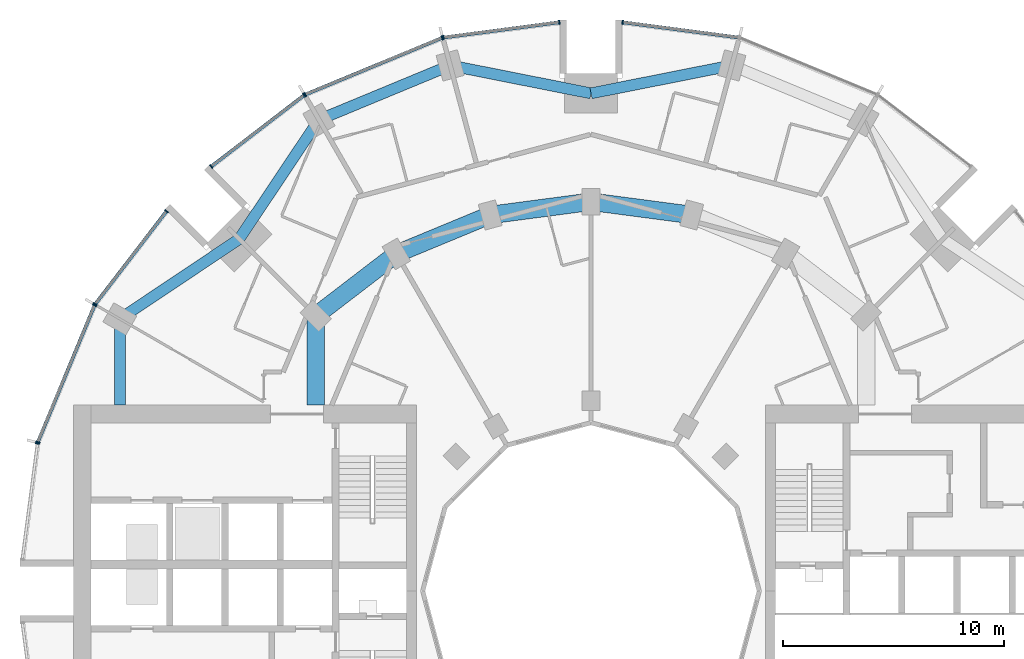
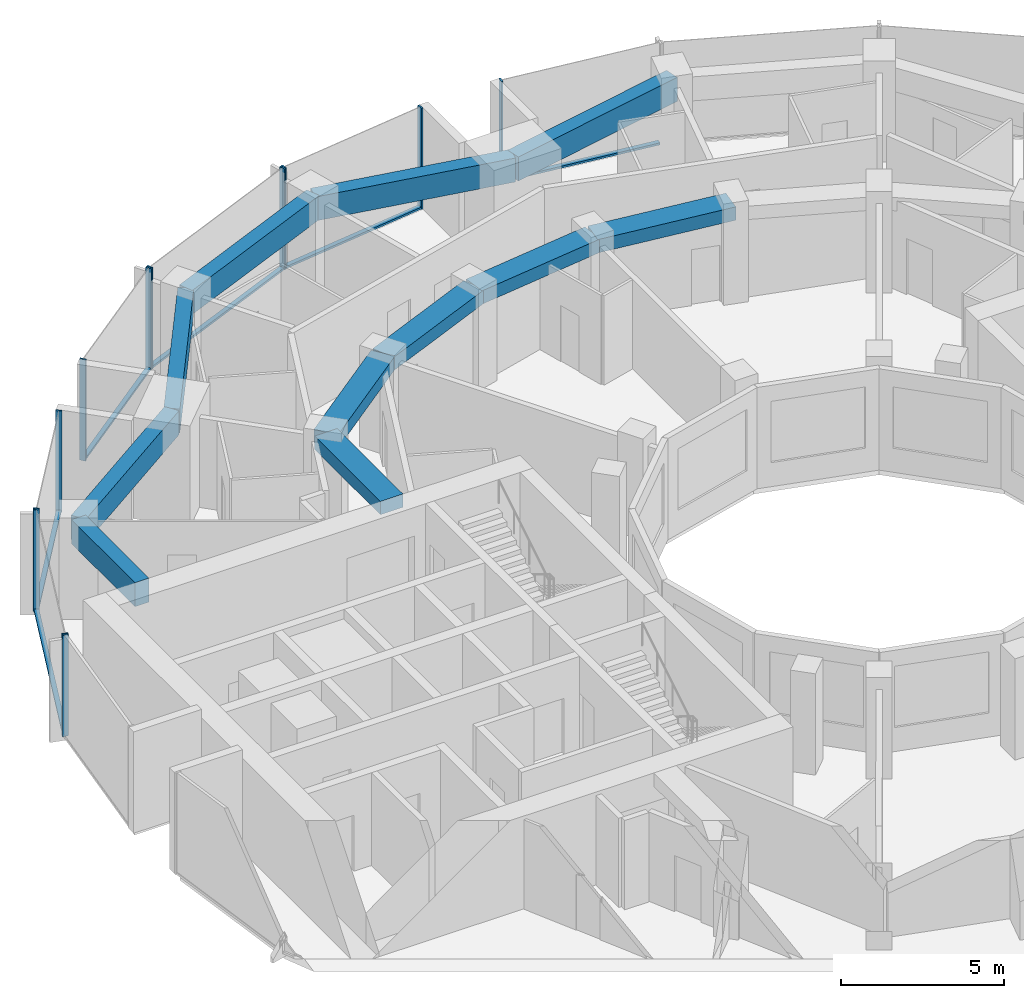
# One storey, part 5 of 15: 18 members, 11 beams, 7 elements without a shape of their own.
"""IFC4 building model written with IfcOpenShell, lengths in metres."""

from ifc_helpers import new_model, si_unit, direction, frame, origin, origin_2d, place, context, subcontext, project, spatial, rectangle, extrude, material, layer, layer_set, material_profile, profile_set, type_object, element, aggregate, save


model = new_model("IFC4")

# Units and contexts
model_context = context("Model", 3, precision=1e-05, world=origin(), true_north=direction((0.0, 1.0)))
body_context = subcontext(model_context, "Body", "Model", "MODEL_VIEW")
ifc_project = project(units=[si_unit("LENGTHUNIT", "METRE"), si_unit("AREAUNIT", "SQUARE_METRE"), si_unit("VOLUMEUNIT", "CUBIC_METRE"), si_unit("PLANEANGLEUNIT", "RADIAN"), si_unit("MASSUNIT", "GRAM", prefix="KILO")], contexts=[model_context])

# Site, building, storey
site_placement = place(None, origin())
site = spatial("IfcSite", under=ifc_project, at=site_placement, CompositionType="ELEMENT")
building_placement = place(site_placement, origin())
building = spatial("IfcBuilding", under=site, at=building_placement, Name="Torre Brocal", CompositionType="ELEMENT")
storey_placement = place(building_placement, frame((0.0, 0.0, 82.39990234375)))
storey = spatial("IfcBuildingStorey", under=building, at=storey_placement, Name="L18", CompositionType="ELEMENT", Elevation=82.39990234375)

# Curtain wall, member
ifc_material_1 = material(Name="Aluminium and glass", Category="aluminium")
ifc_layer_1 = layer(ifc_material_1, 0.199951171875)
ifc_layer_set_1 = layer_set([ifc_layer_1], Name="Aluminium and glass")
curtain_wall_type_1 = type_object("IfcCurtainWallType", Name="CW-1 CURTAIN WALL 3800 HIGH", PredefinedType="NOTDEFINED", material=ifc_layer_set_1)
curtain_wall_1_placement = place(storey_placement, origin())
curtain_wall_1 = element("IfcCurtainWall", 1, at=curtain_wall_1_placement, inside=storey, type_object=curtain_wall_type_1, Name="CW-1 RUN 6", PredefinedType="NOTDEFINED")
ifc_material_2 = material(Name="Aluminium, dark anodised", Category="aluminium")
ifc_material_profile_1 = material_profile(ifc_material_2, rectangle(XDim=0.199951171875, YDim=0.06005859375, at=origin_2d()), Name="CW-1 MULLION 60X200")
ifc_profile_set_1 = profile_set([ifc_material_profile_1], Name="Aluminium, dark anodised")
member_type_1 = type_object("IfcMemberType", Name="CW-1 MULLION 60X200", PredefinedType="MULLION", material=ifc_profile_set_1)
member_1_placement = place(storey_placement, frame((81.4296875, 100.7109375, 0.0), z_axis=(0.0, 0.0, 1.0), x_axis=(-0.13052619222, -0.991444861374, 0.0)))
member_1 = element("IfcMember", 2, at=member_1_placement, type_object=member_type_1, Name="CW1-1 mullion 2", PredefinedType="MULLION", context=body_context, shape_type="SweptSolid", body=[
    extrude(rectangle(XDim=0.199951171875, YDim=0.06005859375, at=origin_2d()), origin(), (0.0, 0.0, 1.0), 3.800048828125),
])

# Curtain wall, members
curtain_wall_2_placement = place(storey_placement, origin())
curtain_wall_2 = element("IfcCurtainWall", 3, at=curtain_wall_2_placement, inside=storey, type_object=curtain_wall_type_1, Name="CW-1 RUN 7", PredefinedType="NOTDEFINED")
member_2_placement = place(storey_placement, frame((78.5703125, 100.7109375, 0.0), z_axis=(0.0, 0.0, 1.0), x_axis=(0.13052619222, -0.991444861374, 0.0)))
member_2 = element("IfcMember", 4, at=member_2_placement, type_object=member_type_1, Name="CW1-1 mullion 1", PredefinedType="MULLION", context=body_context, shape_type="SweptSolid", body=[
    extrude(rectangle(XDim=0.199951171875, YDim=0.06005859375, at=origin_2d()), origin(), (0.0, 0.0, 1.0), 3.800048828125),
])
member_3_placement = place(storey_placement, frame((73.32666015625, 100.0205078125, 0.0), z_axis=(0.0, 0.0, 1.0), x_axis=(0.13052619222, -0.991444861374, 0.0)))
member_3 = element("IfcMember", 5, at=member_3_placement, type_object=member_type_1, Name="CW1-1 mullion 2", PredefinedType="MULLION", context=body_context, shape_type="SweptSolid", body=[
    extrude(rectangle(XDim=0.199951171875, YDim=0.06005859375, at=origin_2d()), origin(), (0.0, 0.0, 1.0), 3.800048828125),
])

curtain_wall_3_placement = place(storey_placement, origin())
curtain_wall_3 = element("IfcCurtainWall", 6, at=curtain_wall_3_placement, inside=storey, type_object=curtain_wall_type_1, Name="CW-1 RUN 8", PredefinedType="NOTDEFINED")
member_4_placement = place(storey_placement, frame((73.26904296875, 100.005126953125, 0.0), z_axis=(0.0, 0.0, 1.0), x_axis=(0.382683432333, -0.923879532525, 0.0)))
member_4 = element("IfcMember", 7, at=member_4_placement, type_object=member_type_1, Name="CW1-1 mullion 1", PredefinedType="MULLION", context=body_context, shape_type="SweptSolid", body=[
    extrude(rectangle(XDim=0.199951171875, YDim=0.06005859375, at=origin_2d()), origin(), (0.0, 0.0, 1.0), 3.800048828125),
])
member_5_placement = place(storey_placement, frame((67.078125, 97.440673828125, 0.0), z_axis=(0.0, 0.0, 1.0), x_axis=(0.382683432333, -0.923879532525, 0.0)))
member_5 = element("IfcMember", 8, at=member_5_placement, type_object=member_type_1, Name="CW1-1 mullion 2", PredefinedType="MULLION", context=body_context, shape_type="SweptSolid", body=[
    extrude(rectangle(XDim=0.199951171875, YDim=0.06005859375, at=origin_2d()), origin(), (0.0, 0.0, 1.0), 3.800048828125),
])

curtain_wall_4_placement = place(storey_placement, origin())
curtain_wall_4 = element("IfcCurtainWall", 9, at=curtain_wall_4_placement, inside=storey, type_object=curtain_wall_type_1, Name="CW-1 RUN 9", PredefinedType="NOTDEFINED")
member_6_placement = place(storey_placement, frame((67.026611328125, 97.4111328125, 0.0), z_axis=(0.0, 0.0, 1.0), x_axis=(0.60876142905, -0.793353340259, 0.0)))
member_6 = element("IfcMember", 10, at=member_6_placement, type_object=member_type_1, Name="CW1-1 mullion 1", PredefinedType="MULLION", context=body_context, shape_type="SweptSolid", body=[
    extrude(rectangle(XDim=0.199951171875, YDim=0.06005859375, at=origin_2d()), origin(), (0.0, 0.0, 1.0), 3.800048828125),
])
member_7_placement = place(storey_placement, frame((62.83056640625, 94.19140625, 0.0), z_axis=(0.0, 0.0, 1.0), x_axis=(0.60876142905, -0.793353340259, 0.0)))
member_7 = element("IfcMember", 11, at=member_7_placement, type_object=member_type_1, Name="CW1-1 mullion 2", PredefinedType="MULLION", context=body_context, shape_type="SweptSolid", body=[
    extrude(rectangle(XDim=0.199951171875, YDim=0.06005859375, at=origin_2d()), origin(), (0.0, 0.0, 1.0), 3.800048828125),
])

curtain_wall_5_placement = place(storey_placement, origin())
curtain_wall_5 = element("IfcCurtainWall", 12, at=curtain_wall_5_placement, inside=storey, type_object=curtain_wall_type_1, Name="CW-1 RUN 10", PredefinedType="NOTDEFINED")
member_8_placement = place(storey_placement, frame((60.80859375, 92.16943359375, 0.0), z_axis=(0.0, 0.0, 1.0), x_axis=(0.793353340259, -0.60876142905, 0.0)))
member_8 = element("IfcMember", 13, at=member_8_placement, type_object=member_type_1, Name="CW1-1 mullion 1", PredefinedType="MULLION", context=body_context, shape_type="SweptSolid", body=[
    extrude(rectangle(XDim=0.199951171875, YDim=0.06005859375, at=origin_2d()), origin(), (0.0, 0.0, 1.0), 3.800048828125),
])
member_9_placement = place(storey_placement, frame((57.5888671875, 87.973388671875, 0.0), z_axis=(0.0, 0.0, 1.0), x_axis=(0.793353340259, -0.60876142905, 0.0)))
member_9 = element("IfcMember", 14, at=member_9_placement, type_object=member_type_1, Name="CW1-1 mullion 2", PredefinedType="MULLION", context=body_context, shape_type="SweptSolid", body=[
    extrude(rectangle(XDim=0.199951171875, YDim=0.06005859375, at=origin_2d()), origin(), (0.0, 0.0, 1.0), 3.800048828125),
])

curtain_wall_6_placement = place(storey_placement, origin())
curtain_wall_6 = element("IfcCurtainWall", 15, at=curtain_wall_6_placement, inside=storey, type_object=curtain_wall_type_1, Name="CW-1 RUN 11", PredefinedType="NOTDEFINED")
member_10_placement = place(storey_placement, frame((57.559326171875, 87.921875, 0.0), z_axis=(0.0, 0.0, 1.0), x_axis=(0.923879532525, -0.382683432333, 0.0)))
member_10 = element("IfcMember", 16, at=member_10_placement, type_object=member_type_1, Name="CW1-1 mullion 1", PredefinedType="MULLION", context=body_context, shape_type="SweptSolid", body=[
    extrude(rectangle(XDim=0.199951171875, YDim=0.06005859375, at=origin_2d()), origin(), (0.0, 0.0, 1.0), 3.800048828125),
])
member_11_placement = place(storey_placement, frame((54.994873046875, 81.73095703125, 0.0), z_axis=(0.0, 0.0, 1.0), x_axis=(0.923879532525, -0.382683432333, 0.0)))
member_11 = element("IfcMember", 17, at=member_11_placement, type_object=member_type_1, Name="CW1-1 mullion 2", PredefinedType="MULLION", context=body_context, shape_type="SweptSolid", body=[
    extrude(rectangle(XDim=0.199951171875, YDim=0.06005859375, at=origin_2d()), origin(), (0.0, 0.0, 1.0), 3.800048828125),
])

# Member
ifc_material_3 = material(Name="Aluminium, dark anodised", Category="aluminium")
ifc_material_profile_2 = material_profile(ifc_material_3, rectangle(XDim=0.159912109375, YDim=0.080078125, at=origin_2d()), Name="CW-1 TRANSOM 160X80")
ifc_profile_set_2 = profile_set([ifc_material_profile_2], Name="Aluminium, dark anodised")
member_type_2 = type_object("IfcMemberType", Name="CW-1 TRANSOM 160X80", PredefinedType="USERDEFINED", material=ifc_profile_set_2)
member_12_placement = place(storey_placement, frame((86.643798828125, 100.0244140625, 0.0400390625), z_axis=(-0.991442690863, 0.130542677827, 0.0), x_axis=(-0.130542677827, -0.991442690863, 0.0)))
member_12 = element("IfcMember", 18, at=member_12_placement, type_object=member_type_2, Name="CW1-1 transom 1.1", ObjectType="TRANSOM", PredefinedType="USERDEFINED", context=body_context, shape_type="SweptSolid", body=[
    extrude(rectangle(XDim=0.159912109375, YDim=0.080078125, at=origin_2d()), origin(), (0.0, 0.0, 1.0), 5.22900390625),
])

aggregate(curtain_wall_1, [member_1, member_12])

member_13_placement = place(storey_placement, frame((78.54052734375, 100.70703125, 0.0400390625), z_axis=(-0.991442690863, -0.130542677827, 0.0), x_axis=(0.130542677827, -0.991442690863, 0.0)))
member_13 = element("IfcMember", 19, at=member_13_placement, type_object=member_type_2, Name="CW1-1 transom 1.1", ObjectType="TRANSOM", PredefinedType="USERDEFINED", context=body_context, shape_type="SweptSolid", body=[
    extrude(rectangle(XDim=0.159912109375, YDim=0.080078125, at=origin_2d()), origin(), (0.0, 0.0, 1.0), 5.22900390625),
])

aggregate(curtain_wall_2, [member_2, member_3, member_13])

member_14_placement = place(storey_placement, frame((73.241455078125, 99.99365234375, 0.0400390625), z_axis=(-0.923887344364, -0.38266457234, 0.0), x_axis=(0.38266457234, -0.923887344364, 0.0)))
member_14 = element("IfcMember", 20, at=member_14_placement, type_object=member_type_2, Name="CW1-1 transom 1.1", ObjectType="TRANSOM", PredefinedType="USERDEFINED", context=body_context, shape_type="SweptSolid", body=[
    extrude(rectangle(XDim=0.159912109375, YDim=0.080078125, at=origin_2d()), origin(), (0.0, 0.0, 1.0), 6.640869140625),
])

aggregate(curtain_wall_3, [member_4, member_5, member_14])

member_15_placement = place(storey_placement, frame((67.0029296875, 97.392822265625, 0.0400390625), z_axis=(-0.79336281513, -0.60874908096, 0.0), x_axis=(0.60874908096, -0.79336281513, 0.0)))
member_15 = element("IfcMember", 21, at=member_15_placement, type_object=member_type_2, Name="CW1-1 transom 1.1", ObjectType="TRANSOM", PredefinedType="USERDEFINED", context=body_context, shape_type="SweptSolid", body=[
    extrude(rectangle(XDim=0.159912109375, YDim=0.080078125, at=origin_2d()), origin(), (0.0, 0.0, 1.0), 5.22900390625),
])

aggregate(curtain_wall_4, [member_6, member_7, member_15])

member_16_placement = place(storey_placement, frame((60.790283203125, 92.1455078125, 0.0400390625), z_axis=(-0.60874908096, -0.79336281513, 0.0), x_axis=(0.79336281513, -0.60874908096, 0.0)))
member_16 = element("IfcMember", 22, at=member_16_placement, type_object=member_type_2, Name="CW1-1 transom 1.1", ObjectType="TRANSOM", PredefinedType="USERDEFINED", context=body_context, shape_type="SweptSolid", body=[
    extrude(rectangle(XDim=0.159912109375, YDim=0.080078125, at=origin_2d()), origin(), (0.0, 0.0, 1.0), 5.22900390625),
])

aggregate(curtain_wall_5, [member_8, member_9, member_16])

member_17_placement = place(storey_placement, frame((57.547607421875, 87.89404296875, 0.0400390625), z_axis=(-0.38266457234, -0.923887344364, 0.0), x_axis=(0.923887344364, -0.38266457234, 0.0)))
member_17 = element("IfcMember", 23, at=member_17_placement, type_object=member_type_2, Name="CW1-1 transom 1.1", ObjectType="TRANSOM", PredefinedType="USERDEFINED", context=body_context, shape_type="SweptSolid", body=[
    extrude(rectangle(XDim=0.159912109375, YDim=0.080078125, at=origin_2d()), origin(), (0.0, 0.0, 1.0), 6.640869140625),
])

aggregate(curtain_wall_6, [member_10, member_11, member_17])

# Curtain wall, member
ifc_material_4 = material(Name="Aluminium and glass", Category="aluminium")
ifc_layer_2 = layer(ifc_material_4, 0.199951171875)
ifc_layer_set_2 = layer_set([ifc_layer_2], Name="Aluminium and glass")
curtain_wall_type_2 = type_object("IfcCurtainWallType", Name="CW-1B CURTAIN WALL 3800 HIGH", PredefinedType="NOTDEFINED", material=ifc_layer_set_2)
curtain_wall_7_placement = place(storey_placement, origin())
curtain_wall_7 = element("IfcCurtainWall", 24, at=curtain_wall_7_placement, inside=storey, type_object=curtain_wall_type_2, Name="CW-1B RUN 12", PredefinedType="NOTDEFINED")
ifc_material_5 = material(Name="Aluminium, dark anodised", Category="aluminium")
ifc_material_profile_3 = material_profile(ifc_material_5, rectangle(XDim=0.199951171875, YDim=0.06005859375, at=origin_2d()), Name="CW-1B MULLION 60X200")
ifc_profile_set_3 = profile_set([ifc_material_profile_3], Name="Aluminium, dark anodised")
member_type_3 = type_object("IfcMemberType", Name="CW-1B MULLION 60X200", PredefinedType="MULLION", material=ifc_profile_set_3)
member_18_placement = place(storey_placement, frame((54.9794921875, 81.67333984375, 0.0), z_axis=(0.0, 0.0, 1.0), x_axis=(0.991444861374, -0.13052619222, 0.0)))
member_18 = element("IfcMember", 25, at=member_18_placement, type_object=member_type_3, Name="CW1B-1 mullion 1", PredefinedType="MULLION", context=body_context, shape_type="SweptSolid", body=[
    extrude(rectangle(XDim=0.199951171875, YDim=0.06005859375, at=origin_2d()), origin(), (0.0, 0.0, 1.0), 3.800048828125),
])
aggregate(curtain_wall_7, [member_18])

# Beams
ifc_material_6 = material(Name="Concrete C50", Category="concrete")
ifc_material_profile_4 = material_profile(ifc_material_6, rectangle(XDim=0.800048828125, YDim=0.5, at=origin_2d()), Name="RC 800X500")
ifc_profile_set_4 = profile_set([ifc_material_profile_4], Name="Concrete C50")
beam_type_1 = type_object("IfcBeamType", Name="RC BEAM 800X500 C50 TOP 3480", PredefinedType="BEAM", material=ifc_profile_set_4)
for number, where, z_axis, x_axis, name in (
    (26, (84.55517578125, 92.000244140625, 3.22998046875), (-0.991440544449, 0.130558978332, 0.0), (-0.130558978332, -0.991440544449, 0.0), "Beam BT-19"),
    (27, (80.0, 92.60009765625, 3.22998046875), (-0.991440544449, -0.130558978332, 0.0), (0.130558978332, -0.991440544449, 0.0), "Beam BT-19"),
):
    element("IfcBeam", number, at=place(storey_placement, frame(where, z_axis=z_axis, x_axis=x_axis)), inside=storey, type_object=beam_type_1, Name=name, PredefinedType="BEAM", context=body_context, shape_type="SweptSolid", body=[
        extrude(rectangle(XDim=0.800048828125, YDim=0.5, at=origin_2d()), origin(), (0.0, 0.0, 1.0), 4.594482421875),
    ])
beam_1_placement = place(storey_placement, frame((75.44482421875, 92.000244140625, 3.22998046875), z_axis=(-0.923878240166, -0.382686552348, 0.0), x_axis=(0.382686552348, -0.923878240166, 0.0)))
element("IfcBeam", 28, at=beam_1_placement, inside=storey, type_object=beam_type_1, Name="Beam BT-19", PredefinedType="BEAM", context=body_context, shape_type="SweptSolid", body=[
    extrude(rectangle(XDim=0.800048828125, YDim=0.5, at=origin_2d()), origin(), (0.0, 0.0, 1.0), 4.5947265625),
])
beam_2_placement = place(storey_placement, frame((71.199951171875, 90.241943359375, 3.22998046875), z_axis=(-0.793358265959, -0.6087550097, 0.0), x_axis=(0.6087550097, -0.793358265959, 0.0)))
element("IfcBeam", 29, at=beam_2_placement, inside=storey, type_object=beam_type_1, Name="Beam BT-19", PredefinedType="BEAM", context=body_context, shape_type="SweptSolid", body=[
    extrude(rectangle(XDim=0.800048828125, YDim=0.5, at=origin_2d()), origin(), (0.0, 0.0, 1.0), 4.594482421875),
])
beam_3_placement = place(storey_placement, frame((67.554931640625, 87.445068359375, 3.22998046875), z_axis=(0.0, -1.0, 0.0), x_axis=(1.0, 0.0, 0.0)))
element("IfcBeam", 30, at=beam_3_placement, inside=storey, type_object=beam_type_1, Name="Beam BT-19", PredefinedType="BEAM", context=body_context, shape_type="SweptSolid", body=[
    extrude(rectangle(XDim=0.800048828125, YDim=0.5, at=origin_2d()), origin(), (0.0, 0.0, 1.0), 4.045166015625),
])
ifc_material_7 = material(Name="Concrete C50", Category="concrete")
ifc_material_profile_5 = material_profile(ifc_material_7, rectangle(XDim=0.5, YDim=0.89990234375, at=origin_2d()), Name="RC 500X900")
ifc_profile_set_5 = profile_set([ifc_material_profile_5], Name="Concrete C50")
beam_type_2 = type_object("IfcBeamType", Name="RC SPANDREL BEAM 500X900 C50 TOP 3480", PredefinedType="SPANDREL", material=ifc_profile_set_5)
for number, where, z_axis, x_axis, name in (
    (31, (86.366943359375, 98.76171875, 3.030029296875), (-0.980924907484, -0.194387051723, 0.0), (0.194387051723, -0.980924907484, 0.0), "Beam BT-20"),
    (32, (80.0, 97.5, 3.030029296875), (-0.980924907484, 0.194387051723, 0.0), (-0.194387051723, -0.980924907484, 0.0), "Beam BT-20"),
):
    element("IfcBeam", number, at=place(storey_placement, frame(where, z_axis=z_axis, x_axis=x_axis)), inside=storey, type_object=beam_type_2, Name=name, PredefinedType="SPANDREL", context=body_context, shape_type="SweptSolid", body=[
        extrude(rectangle(XDim=0.5, YDim=0.89990234375, at=origin_2d()), origin(), (0.0, 0.0, 1.0), 6.49072265625),
    ])
beam_4_placement = place(storey_placement, frame((73.633056640625, 98.76171875, 3.030029296875), z_axis=(-0.923882462513, -0.382676358639, 0.0), x_axis=(0.382676358639, -0.923882462513, 0.0)))
element("IfcBeam", 33, at=beam_4_placement, inside=storey, type_object=beam_type_2, Name="Beam BT-20", PredefinedType="SPANDREL", context=body_context, shape_type="SweptSolid", body=[
    extrude(rectangle(XDim=0.5, YDim=0.89990234375, at=origin_2d()), origin(), (0.0, 0.0, 1.0), 6.421875),
])
for number, where, z_axis, x_axis, name in (
    (34, (67.699951171875, 96.30419921875, 3.030029296875), (-0.556157602282, -0.831076844476, 0.0), (0.831076844476, -0.556157602282, 0.0), "Beam BT-20"),
    (35, (64.090087890625, 90.909912109375, 3.030029296875), (-0.831076844476, -0.556157602282, 0.0), (0.556157602282, -0.831076844476, 0.0), "Beam BT-20"),
):
    element("IfcBeam", number, at=place(storey_placement, frame(where, z_axis=z_axis, x_axis=x_axis)), inside=storey, type_object=beam_type_2, Name=name, PredefinedType="SPANDREL", context=body_context, shape_type="SweptSolid", body=[
        extrude(rectangle(XDim=0.5, YDim=0.89990234375, at=origin_2d()), origin(), (0.0, 0.0, 1.0), 6.49072265625),
    ])
beam_5_placement = place(storey_placement, frame((58.69580078125, 87.300048828125, 3.030029296875), z_axis=(0.0, -1.0, 0.0), x_axis=(1.0, 0.0, 0.0)))
element("IfcBeam", 36, at=beam_5_placement, inside=storey, type_object=beam_type_2, Name="Beam BT-20", PredefinedType="SPANDREL", context=body_context, shape_type="SweptSolid", body=[
    extrude(rectangle(XDim=0.5, YDim=0.89990234375, at=origin_2d()), origin(), (0.0, 0.0, 1.0), 3.900146484375),
])

save(model, "model.ifc")
